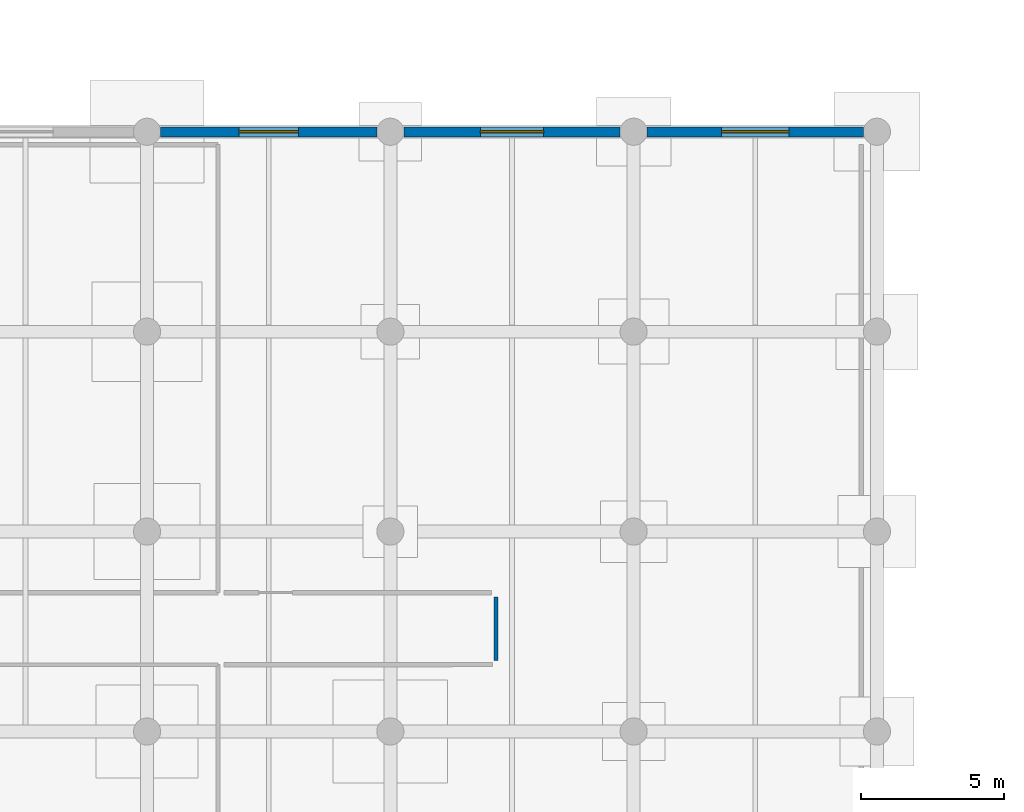
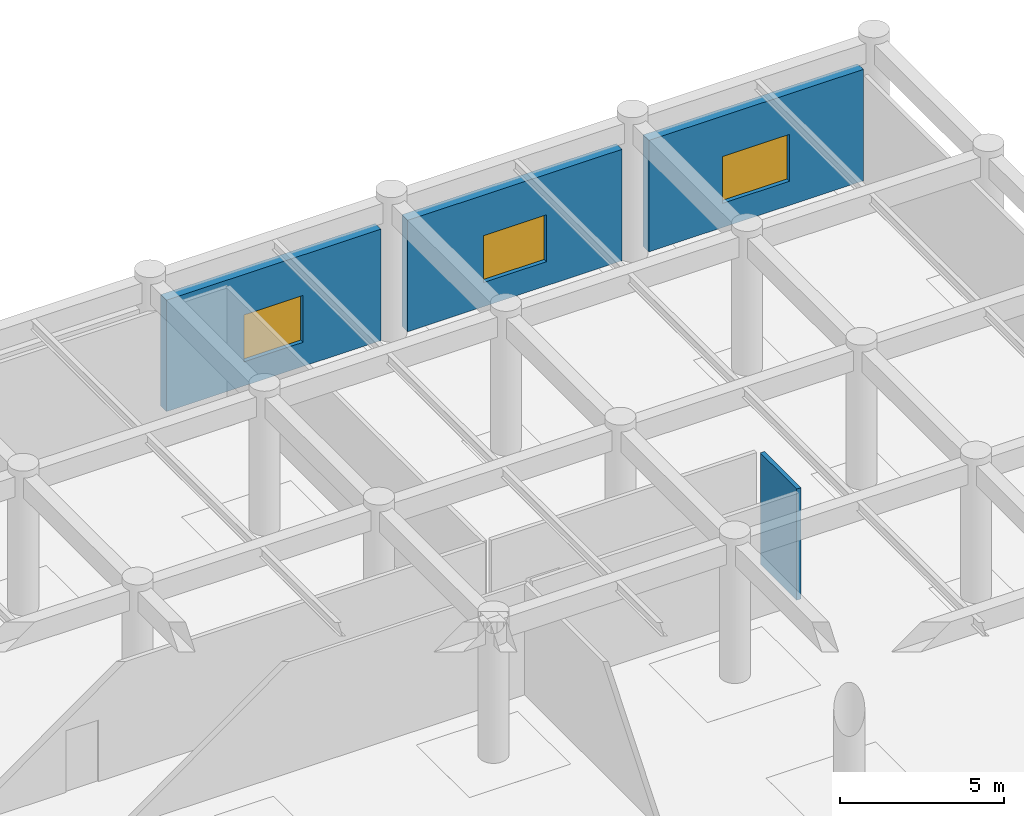
# One storey, part 65 of 88: 4 walls, 3 windows, 3 openings.
"""IFC4 building model written with IfcOpenShell, lengths in metres."""

from ifc_helpers import new_model, si_unit, direction, frame, frame_2d, origin, place, context, subcontext, project, spatial, rectangle, extrude, material, layer, layer_set, type_object, element, fill, save


model = new_model("IFC4")

# Units and contexts
model_context = context("Model", 3, precision=1e-05, world=origin(), true_north=direction((0.0, 1.0)))
body_context = subcontext(model_context, "Body", "Model", "MODEL_VIEW")
ifc_project = project(units=[si_unit("LENGTHUNIT", "METRE"), si_unit("AREAUNIT", "SQUARE_METRE"), si_unit("VOLUMEUNIT", "CUBIC_METRE"), si_unit("PLANEANGLEUNIT", "RADIAN"), si_unit("MASSUNIT", "GRAM", prefix="KILO")], contexts=[model_context])

# Site, building, storey
site_placement = place(None, origin())
site = spatial("IfcSite", under=ifc_project, at=site_placement, CompositionType="ELEMENT")
building_placement = place(site_placement, origin())
building = spatial("IfcBuilding", under=site, at=building_placement, Name="Mphavela Belvedere Stadium", CompositionType="ELEMENT")
storey_placement = place(building_placement, origin())
storey = spatial("IfcBuildingStorey", under=building, at=storey_placement, Name="L00", CompositionType="ELEMENT", Elevation=0.0)

# Wall, opening, window
ifc_material_1 = material(Name="Honed ashlar limestone masonry", Category="masonry")
ifc_layer_1 = layer(ifc_material_1, 0.35009765625)
ifc_layer_set_1 = layer_set([ifc_layer_1], Name="Honed ashlar limestone masonry")
wall_type_1 = type_object("IfcWallType", Name="WAL-EXT-ASHLAR-350", PredefinedType="STANDARD", material=ifc_layer_set_1)
wall_1_placement = place(storey_placement, frame((204.9169921875, 174.0, 0.0), z_axis=(0.0, 0.0, 1.0), x_axis=(1.0, 0.0, 0.0)))
wall_1 = element("IfcWall", 1, at=wall_1_placement, inside=storey, type_object=wall_type_1, Name="North Mast and Ceremonial End Forecourt outer facade bay L00-25", PredefinedType="STANDARD", context=body_context, shape_type="SweptSolid", body=[
    extrude(rectangle(XDim=7.572998046875, YDim=0.35009765625, at=frame_2d((3.78662109375, 0.0))), origin(), (0.0, 0.0, 1.0), 4.159912109375),
])
opening_1_placement = place(wall_1_placement, frame((2.74658203125, 0.0, 0.89990234375)))
opening_1 = element("IfcOpeningElement", 2, at=opening_1_placement, cuts=wall_1, Name="Opening W-151", PredefinedType="OPENING", context=body_context, shape_type="SweptSolid", body=[
    extrude(rectangle(XDim=2.080078125, YDim=1.75, at=frame_2d((1.0400390625, 0.875))), frame((0.0, 0.18505859375, 0.0), z_axis=(0.0, -1.0, 0.0), x_axis=(1.0, 0.0, 0.0)), (0.0, 0.0, 1.0), 0.3701171875),
])
ifc_material_2 = material(Name="Bronze-anodised thermally broken aluminium window", Category="aluminium")
window_type_1 = type_object("IfcWindowType", Name="WIN-EXT-19", PartitioningType="SINGLE_PANEL", PredefinedType="WINDOW", material=ifc_material_2)
window_1_placement = place(opening_1_placement, origin())
window_1 = element("IfcWindow", 3, at=window_1_placement, inside=storey, type_object=window_type_1, Name="North Mast and Ceremonial End Forecourt classical window W-151", OverallHeight=1.75, OverallWidth=2.080078125, PartitioningType="SINGLE_PANEL", PredefinedType="WINDOW", context=body_context, shape_type="SweptSolid", body=[
    extrude(rectangle(XDim=2.080078125, YDim=1.75, at=frame_2d((1.0400390625, 0.875))), frame((0.0, 0.030029296875, 0.0), z_axis=(0.0, -1.0, 0.0), x_axis=(1.0, 0.0, 0.0)), (0.0, 0.0, 1.0), 0.06005859375),
])
fill(opening_1, window_1)

wall_2_placement = place(storey_placement, frame((213.43603515625, 174.0, 0.0), z_axis=(0.0, 0.0, 1.0), x_axis=(1.0, 0.0, 0.0)))
wall_2 = element("IfcWall", 4, at=wall_2_placement, inside=storey, type_object=wall_type_1, Name="North Mast and Ceremonial End Forecourt outer facade bay L00-26", PredefinedType="STANDARD", context=body_context, shape_type="SweptSolid", body=[
    extrude(rectangle(XDim=7.572021484375, YDim=0.35009765625, at=frame_2d((3.7861328125, 0.0))), origin(), (0.0, 0.0, 1.0), 4.159912109375),
])
opening_2_placement = place(wall_2_placement, frame((2.676025390625, 0.0, 0.89990234375)))
opening_2 = element("IfcOpeningElement", 5, at=opening_2_placement, cuts=wall_2, Name="Opening W-152", PredefinedType="OPENING", context=body_context, shape_type="SweptSolid", body=[
    extrude(rectangle(XDim=2.219970703125, YDim=1.75, at=frame_2d((1.10986328125, 0.875))), frame((0.0, 0.18505859375, 0.0), z_axis=(0.0, -1.0, 0.0), x_axis=(1.0, 0.0, 0.0)), (0.0, 0.0, 1.0), 0.3701171875),
])
ifc_material_3 = material(Name="Bronze-anodised thermally broken aluminium window", Category="aluminium")
window_type_2 = type_object("IfcWindowType", Name="WIN-EXT-20", PartitioningType="SINGLE_PANEL", PredefinedType="WINDOW", material=ifc_material_3)
window_2_placement = place(opening_2_placement, origin())
window_2 = element("IfcWindow", 6, at=window_2_placement, inside=storey, type_object=window_type_2, Name="North Mast and Ceremonial End Forecourt classical window W-152", OverallHeight=1.75, OverallWidth=2.219970703125, PartitioningType="SINGLE_PANEL", PredefinedType="WINDOW", context=body_context, shape_type="SweptSolid", body=[
    extrude(rectangle(XDim=2.219970703125, YDim=1.75, at=frame_2d((1.10986328125, 0.875))), frame((0.0, 0.030029296875, 0.0), z_axis=(0.0, -1.0, 0.0), x_axis=(1.0, 0.0, 0.0)), (0.0, 0.0, 1.0), 0.06005859375),
])
fill(opening_2, window_2)

wall_3_placement = place(storey_placement, frame((221.9541015625, 174.0, 0.0), z_axis=(0.0, 0.0, 1.0), x_axis=(1.0, 0.0, 0.0)))
wall_3 = element("IfcWall", 7, at=wall_3_placement, inside=storey, type_object=wall_type_1, Name="North Mast and Ceremonial End Forecourt outer facade bay L00-27", PredefinedType="STANDARD", context=body_context, shape_type="SweptSolid", body=[
    extrude(rectangle(XDim=7.572998046875, YDim=0.35009765625, at=frame_2d((3.78662109375, 0.0))), origin(), (0.0, 0.0, 1.0), 4.159912109375),
])
opening_3_placement = place(wall_3_placement, frame((2.6064453125, 0.0, 0.89990234375)))
opening_3 = element("IfcOpeningElement", 8, at=opening_3_placement, cuts=wall_3, Name="Opening W-153", PredefinedType="OPENING", context=body_context, shape_type="SweptSolid", body=[
    extrude(rectangle(XDim=2.360107421875, YDim=1.75, at=frame_2d((1.18017578125, 0.875))), frame((0.0, 0.18505859375, 0.0), z_axis=(0.0, -1.0, 0.0), x_axis=(1.0, 0.0, 0.0)), (0.0, 0.0, 1.0), 0.3701171875),
])
ifc_material_4 = material(Name="Bronze-anodised thermally broken aluminium window", Category="aluminium")
window_type_3 = type_object("IfcWindowType", Name="WIN-EXT-21", PartitioningType="SINGLE_PANEL", PredefinedType="WINDOW", material=ifc_material_4)
window_3_placement = place(opening_3_placement, origin())
window_3 = element("IfcWindow", 9, at=window_3_placement, inside=storey, type_object=window_type_3, Name="North Mast and Ceremonial End Forecourt classical window W-153", OverallHeight=1.75, OverallWidth=2.360107421875, PartitioningType="SINGLE_PANEL", PredefinedType="WINDOW", context=body_context, shape_type="SweptSolid", body=[
    extrude(rectangle(XDim=2.360107421875, YDim=1.75, at=frame_2d((1.18017578125, 0.875))), frame((0.0, 0.030029296875, 0.0), z_axis=(0.0, -1.0, 0.0), x_axis=(1.0, 0.0, 0.0)), (0.0, 0.0, 1.0), 0.06005859375),
])
fill(opening_3, window_3)

# Wall
ifc_material_5 = material(Name="Acoustic gypsum stud partition assembly")
ifc_layer_2 = layer(ifc_material_5, 0.14990234375)
ifc_layer_set_2 = layer_set([ifc_layer_2], Name="Acoustic gypsum stud partition assembly")
wall_type_2 = type_object("IfcWallType", Name="WAL-PART-150", PredefinedType="PARTITIONING", material=ifc_layer_set_2)
wall_4_placement = place(storey_placement, frame((216.6591796875, 155.484375, 0.0), z_axis=(0.0, 0.0, 1.0), x_axis=(0.0, 1.0, 0.0)))
element("IfcWall", 10, at=wall_4_placement, inside=storey, type_object=wall_type_2, Name="Room divider partition L00-0910", PredefinedType="PARTITIONING", context=body_context, shape_type="SweptSolid", body=[
    extrude(rectangle(XDim=2.2314453125, YDim=0.14990234375, at=frame_2d((1.11572265625, 0.0))), origin(), (0.0, 0.0, 1.0), 4.14990234375),
])

save(model, "model.ifc")
